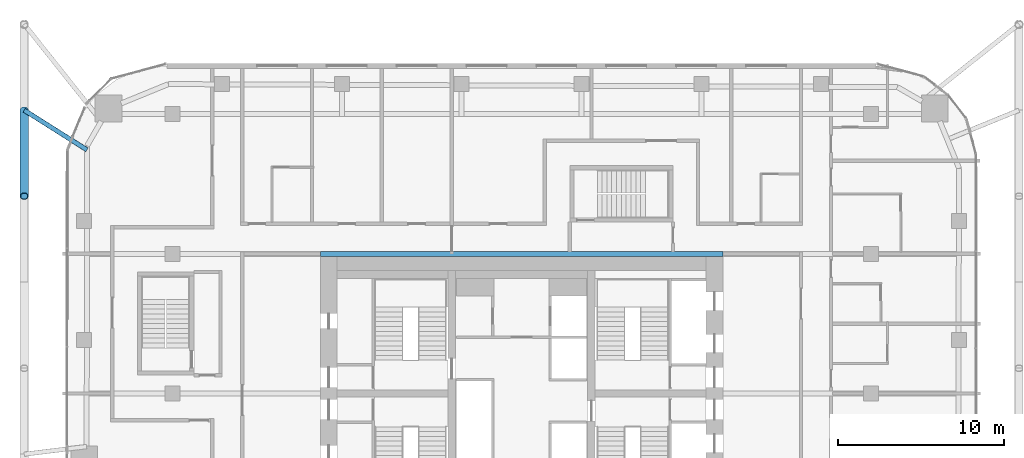
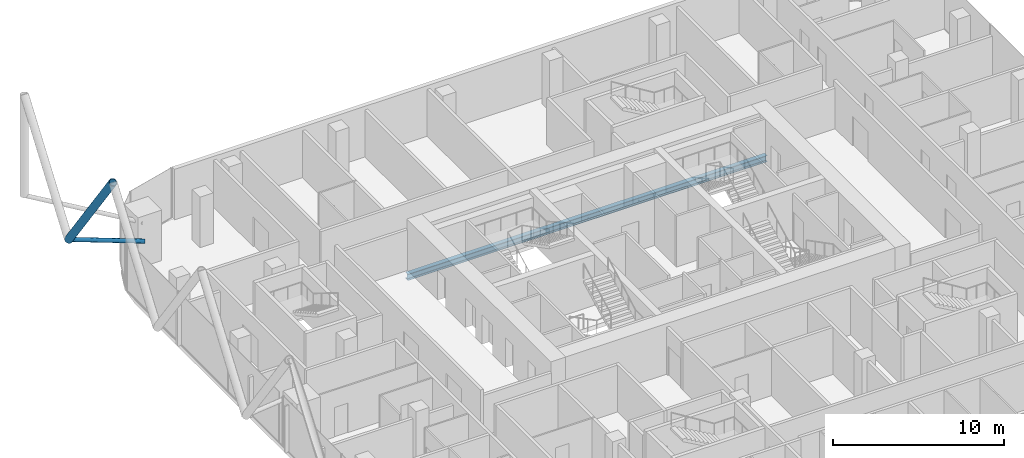
# One storey, part 10 of 36: 2 members, 1 beam.
"""IFC4 building model written with IfcOpenShell, lengths in metres."""

from ifc_helpers import new_model, si_unit, direction, frame, origin, origin_2d, place, context, subcontext, project, spatial, hollow_circle, i_section, extrude, material, material_profile, profile_set, type_object, element, save


model = new_model("IFC4")

# Units and contexts
model_context = context("Model", 3, precision=1e-05, world=origin(), true_north=direction((0.0, 1.0)))
body_context = subcontext(model_context, "Body", "Model", "MODEL_VIEW")
ifc_project = project(units=[si_unit("LENGTHUNIT", "METRE"), si_unit("AREAUNIT", "SQUARE_METRE"), si_unit("VOLUMEUNIT", "CUBIC_METRE"), si_unit("PLANEANGLEUNIT", "RADIAN"), si_unit("MASSUNIT", "GRAM", prefix="KILO")], contexts=[model_context])

# Site, building, storey
site_placement = place(None, origin())
site = spatial("IfcSite", under=ifc_project, at=site_placement, CompositionType="ELEMENT")
building_placement = place(site_placement, origin())
building = spatial("IfcBuilding", under=site, at=building_placement, Name="Marenta Gate Hotel Tower", CompositionType="ELEMENT")
storey_placement = place(building_placement, frame((0.0, 0.0, 158.89990234375)))
storey = spatial("IfcBuildingStorey", under=building, at=storey_placement, Name="L37", CompositionType="ELEMENT", Elevation=158.89990234375)

# Members
ifc_material_1 = material(Name="Steel S355J2W", Category="steel")
ifc_material_profile_1 = material_profile(ifc_material_1, hollow_circle(Radius=0.25390625, WallThickness=0.0400390625, at=origin_2d()), Name="CHS 508x40")
ifc_profile_set_1 = profile_set([ifc_material_profile_1], Name="Steel S355J2W")
member_type_1 = type_object("IfcMemberType", Name="Diagrid diagonal Z2 CHS 508x40", PredefinedType="BRACE", material=ifc_profile_set_1)
member_1_placement = place(storey_placement, frame((-29.89990234375, 25.429931640625, 3.14013671875), z_axis=(0.0, -0.583260841117, 0.812284919975), x_axis=(1.0, 0.0, 0.0)))
element("IfcMember", 1, at=member_1_placement, inside=storey, type_object=member_type_1, Name="L37-DG-33", PredefinedType="BRACE", context=body_context, shape_type="SweptSolid", body=[
    extrude(hollow_circle(Radius=0.25390625, WallThickness=0.0400390625, at=origin_2d()), origin(), (0.0, 0.0, 1.0), 8.86376953125),
])
ifc_material_2 = material(Name="Steel S355J2W", Category="steel")
ifc_material_profile_2 = material_profile(ifc_material_2, hollow_circle(Radius=0.136474609375, WallThickness=0.012451171875, at=origin_2d()), Name="CHS 273x12.5")
ifc_profile_set_2 = profile_set([ifc_material_profile_2], Name="Steel S355J2W")
member_type_2 = type_object("IfcMemberType", Name="Floor tie CHS 273x12.5", PredefinedType="STRUT", material=ifc_profile_set_2)
member_2_placement = place(storey_placement, frame((-29.89990234375, 25.429931640625, 3.14013671875), z_axis=(0.845306816759, -0.534281185839, 0.0), x_axis=(0.534281185839, 0.845306816759, 0.0)))
element("IfcMember", 2, at=member_2_placement, inside=storey, type_object=member_type_2, Name="L37-DR-21", PredefinedType="STRUT", context=body_context, shape_type="SweptSolid", body=[
    extrude(hollow_circle(Radius=0.136474609375, WallThickness=0.012451171875, at=origin_2d()), origin(), (0.0, 0.0, 1.0), 4.461669921875),
])

# Beam
ifc_material_3 = material(Name="Steel S355", Category="steel")
ifc_material_profile_3 = material_profile(ifc_material_3, i_section(OverallWidth=0.300048828125, OverallDepth=0.449951171875, WebThickness=0.013916015625, FlangeThickness=0.02587890625, FilletRadius=0.027099609375, at=origin_2d()), Name="HEB 450")
ifc_profile_set_3 = profile_set([ifc_material_profile_3], Name="Steel S355")
beam_type = type_object("IfcBeamType", Name="Girder HEB 450", PredefinedType="BEAM", material=ifc_profile_set_3)
beam_placement = place(storey_placement, frame((-12.10009765625, 16.800048828125, -0.48486328125), z_axis=(1.0, 0.0, 0.0), x_axis=(0.0, 1.0, 0.0)))
element("IfcBeam", 3, at=beam_placement, inside=storey, type_object=beam_type, Name="L37-GD-26", PredefinedType="BEAM", context=body_context, shape_type="SweptSolid", body=[
    extrude(i_section(OverallWidth=0.300048828125, OverallDepth=0.449951171875, WebThickness=0.013916015625, FlangeThickness=0.02587890625, FilletRadius=0.027099609375, at=origin_2d()), origin(), (0.0, 0.0, 1.0), 24.2001953125),
])

save(model, "model.ifc")
